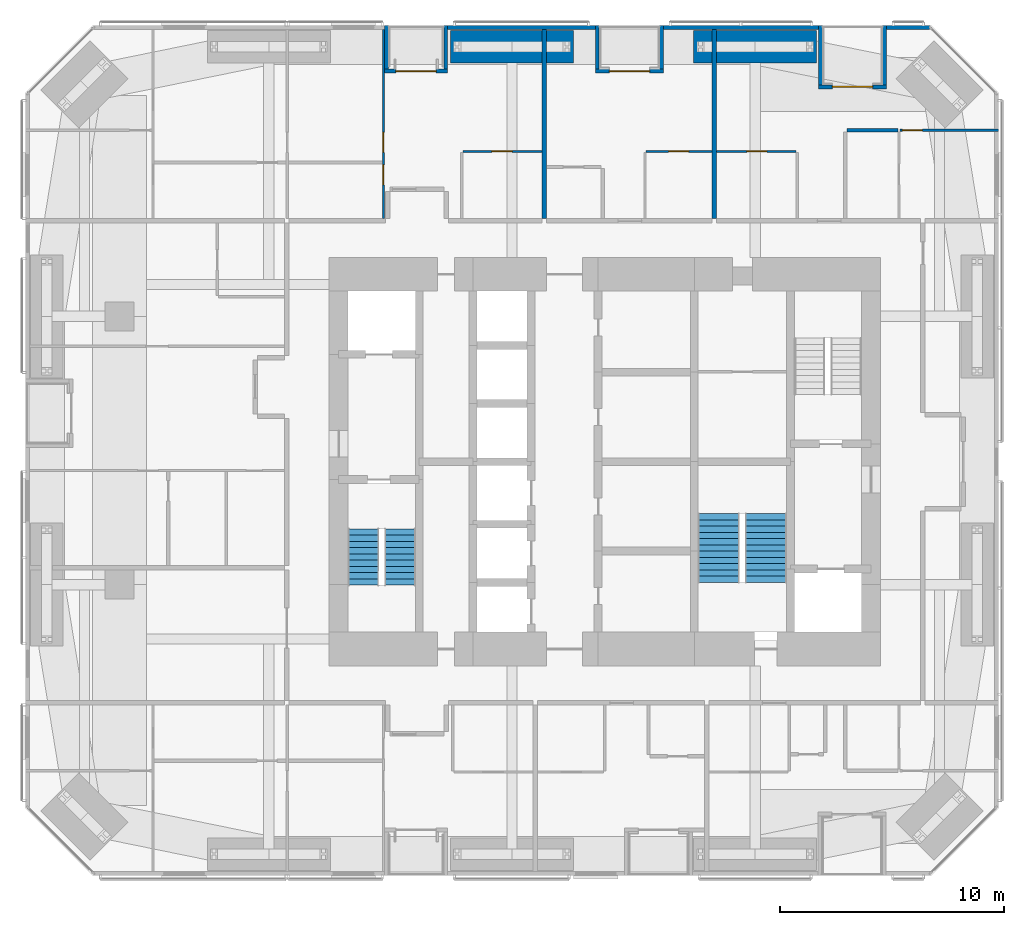
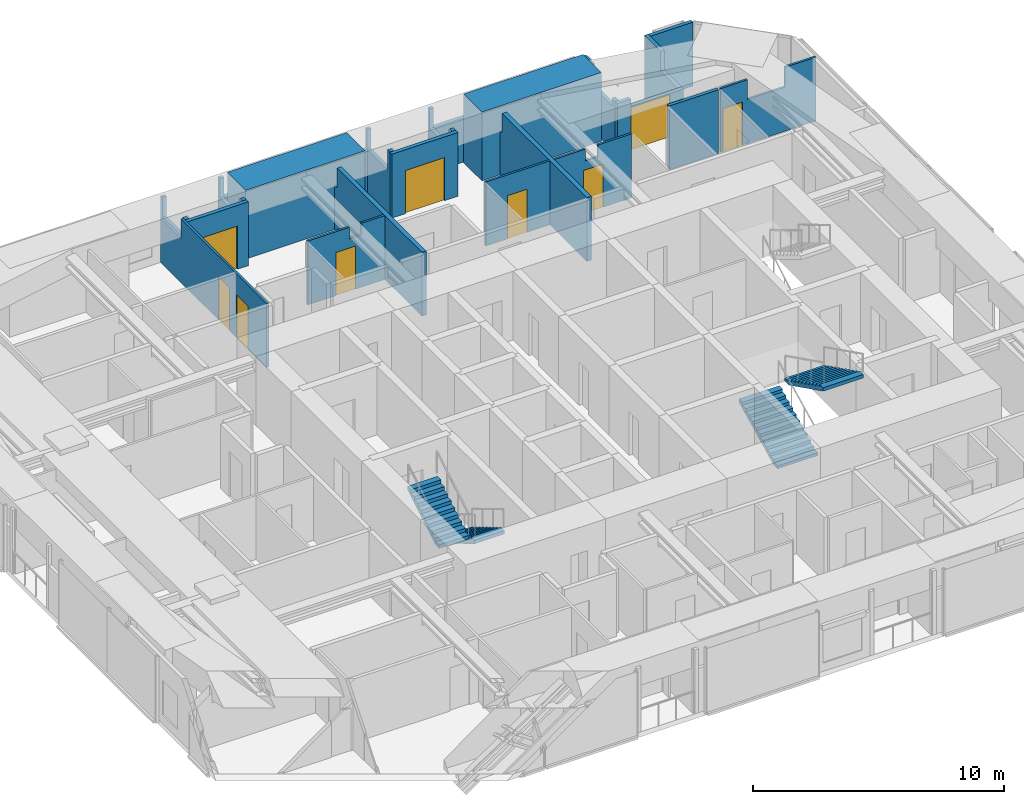
# One storey, part 23 of 25: 23 walls, 9 doors, 4 stair flights, 9 openings, 2 elements without a shape of their own.
"""IFC4 building model written with IfcOpenShell, lengths in metres."""

from ifc_helpers import new_model, si_unit, direction, frame, frame_2d, origin, place, context, subcontext, project, spatial, polyline, rectangle, outline, extrude, material, layer, layer_set, constituent, constituent_set, type_object, element, fill, aggregate, save


model = new_model("IFC4")

# Units and contexts
model_context = context("Model", 3, precision=1e-05, world=origin(), true_north=direction((0.0, 1.0)))
body_context = subcontext(model_context, "Body", "Model", "MODEL_VIEW")
ifc_project = project(units=[si_unit("LENGTHUNIT", "METRE"), si_unit("AREAUNIT", "SQUARE_METRE"), si_unit("VOLUMEUNIT", "CUBIC_METRE"), si_unit("PLANEANGLEUNIT", "RADIAN"), si_unit("MASSUNIT", "GRAM", prefix="KILO")], contexts=[model_context])

# Site, building, storey
site_placement = place(None, origin())
site = spatial("IfcSite", under=ifc_project, at=site_placement, CompositionType="ELEMENT")
building_placement = place(site_placement, origin())
building = spatial("IfcBuilding", under=site, at=building_placement, Name="Jalousie Tower", CompositionType="ELEMENT")
storey_placement = place(building_placement, frame((0.0, 0.0, 101.5)))
storey = spatial("IfcBuildingStorey", under=building, at=storey_placement, Name="L27", CompositionType="ELEMENT", Elevation=101.5)

# Walls
ifc_material_1 = material(Name="Concrete block ASTM C90", Category="concrete")
ifc_constituent_1 = constituent(ifc_material_1, Name="Body")
ifc_material_2 = material(Name="Render")
ifc_constituent_2 = constituent(ifc_material_2, Name="Finish")
ifc_constituent_set_1 = constituent_set(constituents=[ifc_constituent_1, ifc_constituent_2])
wall_type_1 = type_object("IfcWallType", Name="BATHROOM WALL 150", PredefinedType="PLUMBINGWALL", material=ifc_constituent_set_1)
wall_1_placement = place(storey_placement, frame((42.72509765625, 33.32421875, 0.0), z_axis=(0.0, 0.0, 1.0), x_axis=(1.0, 0.0, 0.0)))
element("IfcWall", 1, at=wall_1_placement, inside=storey, type_object=wall_type_1, Name="Bathroom Wall 150 L27", PredefinedType="PLUMBINGWALL", context=body_context, shape_type="SweptSolid", body=[
    extrude(rectangle(XDim=2.27490234375, YDim=0.14990234375, at=frame_2d((1.137451171875, 0.0))), origin(), (0.0, 0.0, 1.0), 3.110107421875),
])
ifc_material_3 = material(Name="Concrete f'c 40 MPa", Category="concrete")
ifc_constituent_3 = constituent(ifc_material_3, Name="Body")
ifc_material_4 = material(Name="Render, pastel sea green")
ifc_constituent_4 = constituent(ifc_material_4, Name="Finish")
ifc_constituent_set_2 = constituent_set(constituents=[ifc_constituent_3, ifc_constituent_4])
wall_type_2 = type_object("IfcWallType", Name="EXTERNAL WALL 175 SEA GREEN RENDER", PredefinedType="SOLIDWALL", material=ifc_constituent_set_2)
wall_2_placement = place(storey_placement, frame((46.44873046875, 37.91259765625, 0.0), z_axis=(0.0, 0.0, 1.0), x_axis=(-1.0, 0.0, 0.0)))
element("IfcWall", 2, at=wall_2_placement, inside=storey, type_object=wall_type_2, Name="External Wall 175 Sea Green Render L27", PredefinedType="SOLIDWALL", context=body_context, shape_type="SweptSolid", body=[
    extrude(rectangle(XDim=1.949951171875, YDim=0.175048828125, at=frame_2d((0.97509765625, 0.0))), origin(), (0.0, 0.0, 1.0), 3.110107421875),
])
wall_3_placement = place(storey_placement, frame((41.44873046875, 37.91259765625, 0.0), z_axis=(0.0, 0.0, 1.0), x_axis=(-1.0, 0.0, 0.0)))
element("IfcWall", 3, at=wall_3_placement, inside=storey, type_object=wall_type_2, Name="External Wall 175 Sea Green Render L27", PredefinedType="SOLIDWALL", context=body_context, shape_type="SweptSolid", body=[
    extrude(outline(polyline([(0.0, 0.0), (6.923828125, 0.0), (6.923583984375, 2.14990234375), (2.82373046875, 2.14990234375), (2.82373046875, 3.110107421875), (2.66552734375, 3.110107421875), (2.66552734375, 2.14990234375), (2.620361328125, 2.14990234375), (2.620361328125, 3.110107421875), (0.0, 3.110107421875), (0.0, 0.0)])), frame((0.0, 0.08740234375, 0.0), z_axis=(0.0, -1.0, 0.0), x_axis=(1.0, 0.0, 0.0)), (0.0, 0.0, 1.0), 0.175048828125),
])
wall_4_placement = place(storey_placement, frame((31.47509765625, 37.91259765625, 0.0), z_axis=(0.0, 0.0, 1.0), x_axis=(-1.0, 0.0, 0.0)))
element("IfcWall", 4, at=wall_4_placement, inside=storey, type_object=wall_type_2, Name="External Wall 175 Sea Green Render L27", PredefinedType="SOLIDWALL", context=body_context, shape_type="SweptSolid", body=[
    extrude(rectangle(XDim=6.60009765625, YDim=0.175048828125, at=frame_2d((3.300048828125, 0.0))), origin(), (0.0, 0.0, 1.0), 2.14990234375),
])

# Wall, opening, door
wall_5_placement = place(storey_placement, frame((44.498779296875, 35.262451171875, 0.0), z_axis=(0.0, 0.0, 1.0), x_axis=(-1.0, 0.0, 0.0)))
wall_5 = element("IfcWall", 5, at=wall_5_placement, inside=storey, type_object=wall_type_2, Name="External Wall 175 Sea Green Render L27-A", PredefinedType="SOLIDWALL", context=body_context, shape_type="SweptSolid", body=[
    extrude(rectangle(XDim=2.425048828125, YDim=0.175048828125, at=frame_2d((1.21240234375, 0.0))), origin(), (0.0, 0.0, 1.0), 2.14990234375),
])
opening_1_placement = place(wall_5_placement, frame((0.625, 0.0, 0.0)))
opening_1 = element("IfcOpeningElement", 6, at=opening_1_placement, cuts=wall_5, Name="Opening D-BAL21", PredefinedType="OPENING", context=body_context, shape_type="SweptSolid", body=[
    extrude(rectangle(XDim=1.800048828125, YDim=2.10009765625, at=frame_2d((0.89990234375, 1.050048828125))), frame((0.0, 0.097412109375, 0.0), z_axis=(0.0, -1.0, 0.0), x_axis=(1.0, 0.0, 0.0)), (0.0, 0.0, 1.0), 0.195068359375),
])
ifc_material_5 = material(Name="Aluminium frame, impact-rated glazing", Category="aluminium")
door_type_1 = type_object("IfcDoorType", Name="BALCONY DOOR 1800x2100", OperationType="SLIDING_TO_LEFT", PredefinedType="DOOR", material=ifc_material_5)
door_1_placement = place(opening_1_placement, origin())
door_1 = element("IfcDoor", 7, at=door_1_placement, inside=storey, type_object=door_type_1, Name="Apartment 2706 living and dining room loggia door", OperationType="SLIDING_TO_LEFT", OverallHeight=2.10009765625, OverallWidth=1.800048828125, PredefinedType="DOOR", context=body_context, shape_type="SweptSolid", body=[
    extrude(rectangle(XDim=1.800048828125, YDim=2.10009765625, at=frame_2d((0.89990234375, 1.050048828125))), frame((0.0, 0.02490234375, 0.0), z_axis=(0.0, -1.0, 0.0), x_axis=(1.0, 0.0, 0.0)), (0.0, 0.0, 1.0), 0.050048828125),
])
fill(opening_1, door_1)

# Walls
wall_6_placement = place(storey_placement, frame((42.07373046875, 35.262451171875, 0.0), z_axis=(0.0, 0.0, 1.0), x_axis=(-1.0, 0.0, 0.0)))
element("IfcWall", 8, at=wall_6_placement, inside=storey, type_object=wall_type_2, Name="External Wall 175 Sea Green Render L27-B", PredefinedType="SOLIDWALL", context=body_context, shape_type="SweptSolid", body=[
    extrude(rectangle(XDim=0.625, YDim=0.175048828125, at=frame_2d((0.3125, 0.0))), origin(), (0.0, 0.0, 1.0), 2.510009765625),
])
wall_7_placement = place(storey_placement, frame((44.4111328125, 38.0, 0.0), z_axis=(0.0, 0.0, 1.0), x_axis=(0.0, -1.0, 0.0)))
element("IfcWall", 9, at=wall_7_placement, inside=storey, type_object=wall_type_2, Name="External Wall 175 Sea Green Render L27", PredefinedType="SOLIDWALL", context=body_context, shape_type="SweptSolid", body=[
    extrude(outline(polyline([(0.0, 0.0), (2.64990234375, 0.0), (2.64990234375, 2.14990234375), (1.2958984375, 2.14990234375), (1.2958984375, 3.110107421875), (0.0, 3.110107421875), (0.0, 0.0)])), frame((0.0, 0.08740234375, 0.0), z_axis=(0.0, -1.0, 0.0), x_axis=(1.0, 0.0, 0.0)), (0.0, 0.0, 1.0), 0.175048828125),
])
wall_8_placement = place(storey_placement, frame((41.5361328125, 38.0, 0.0), z_axis=(0.0, 0.0, 1.0), x_axis=(0.0, -1.0, 0.0)))
element("IfcWall", 10, at=wall_8_placement, inside=storey, type_object=wall_type_2, Name="External Wall 175 Sea Green Render L27", PredefinedType="SOLIDWALL", context=body_context, shape_type="SweptSolid", body=[
    extrude(outline(polyline([(0.0, 0.0), (2.64990234375, 0.0), (2.64990234375, 2.510009765625), (2.378173828125, 2.510009765625), (2.378173828125, 2.14990234375), (0.70947265625, 2.14990234375), (0.70947265625, 3.110107421875), (0.0, 3.110107421875), (0.0, 0.0)])), frame((0.0, 0.08740234375, 0.0), z_axis=(0.0, -1.0, 0.0), x_axis=(1.0, 0.0, 0.0)), (0.0, 0.0, 1.0), 0.175048828125),
])

# Wall, opening, door
wall_9_placement = place(storey_placement, frame((34.52490234375, 35.96240234375, 0.0), z_axis=(0.0, 0.0, 1.0), x_axis=(-1.0, 0.0, 0.0)))
wall_9 = element("IfcWall", 11, at=wall_9_placement, inside=storey, type_object=wall_type_2, Name="External Wall 175 Sea Green Render L27", PredefinedType="SOLIDWALL", context=body_context, shape_type="SweptSolid", body=[
    extrude(rectangle(XDim=3.0498046875, YDim=0.175048828125, at=frame_2d((1.52490234375, 0.0))), origin(), (0.0, 0.0, 1.0), 3.110107421875),
])
opening_2_placement = place(wall_9_placement, frame((0.625, 0.0, 0.0)))
opening_2 = element("IfcOpeningElement", 12, at=opening_2_placement, cuts=wall_9, Name="Opening D-BAL21", PredefinedType="OPENING", context=body_context, shape_type="SweptSolid", body=[
    extrude(rectangle(XDim=1.800048828125, YDim=2.10009765625, at=frame_2d((0.89990234375, 1.050048828125))), frame((0.0, 0.097412109375, 0.0), z_axis=(0.0, -1.0, 0.0), x_axis=(1.0, 0.0, 0.0)), (0.0, 0.0, 1.0), 0.195068359375),
])
door_2_placement = place(opening_2_placement, origin())
door_2 = element("IfcDoor", 13, at=door_2_placement, inside=storey, type_object=door_type_1, Name="Apartment 2705 studio living and sleeping room loggia door", OperationType="SLIDING_TO_LEFT", OverallHeight=2.10009765625, OverallWidth=1.800048828125, PredefinedType="DOOR", context=body_context, shape_type="SweptSolid", body=[
    extrude(rectangle(XDim=1.800048828125, YDim=2.10009765625, at=frame_2d((0.89990234375, 1.050048828125))), frame((0.0, 0.02490234375, 0.0), z_axis=(0.0, -1.0, 0.0), x_axis=(1.0, 0.0, 0.0)), (0.0, 0.0, 1.0), 0.050048828125),
])
fill(opening_2, door_2)

# Walls
for number, where, z_axis, x_axis, name in (
    (14, (34.4375, 38.0, 0.0), (0.0, 0.0, 1.0), (0.0, -1.0, 0.0), "External Wall 175 Sea Green Render L27"),
    (15, (31.5625, 38.0, 0.0), (0.0, 0.0, 1.0), (0.0, -1.0, 0.0), "External Wall 175 Sea Green Render L27"),
):
    element("IfcWall", number, at=place(storey_placement, frame(where, z_axis=z_axis, x_axis=x_axis)), inside=storey, type_object=wall_type_2, Name=name, PredefinedType="SOLIDWALL", context=body_context, shape_type="SweptSolid", body=[
        extrude(outline(polyline([(0.0, 0.0), (1.949951171875, 0.0), (1.949951171875, 3.110107421875), (1.75, 3.110107421875), (1.75, 2.14990234375), (0.14990234375, 2.14990234375), (0.14990234375, 3.110107421875), (0.0, 3.110107421875), (0.0, 0.0)])), frame((0.0, 0.08740234375, 0.0), z_axis=(0.0, -1.0, 0.0), x_axis=(1.0, 0.0, 0.0)), (0.0, 0.0, 1.0), 0.175048828125),
    ])

# Wall, opening, door
wall_10_placement = place(storey_placement, frame((24.875, 35.96240234375, 0.0), z_axis=(0.0, 0.0, 1.0), x_axis=(-1.0, 0.0, 0.0)))
wall_10 = element("IfcWall", 16, at=wall_10_placement, inside=storey, type_object=wall_type_2, Name="External Wall 175 Sea Green Render L27", PredefinedType="SOLIDWALL", context=body_context, shape_type="SweptSolid", body=[
    extrude(rectangle(XDim=2.824951171875, YDim=0.175048828125, at=frame_2d((1.41259765625, 0.0))), origin(), (0.0, 0.0, 1.0), 3.110107421875),
])
opening_3_placement = place(wall_10_placement, frame((0.512451171875, 0.0, 0.0)))
opening_3 = element("IfcOpeningElement", 17, at=opening_3_placement, cuts=wall_10, Name="Opening D-BAL21", PredefinedType="OPENING", context=body_context, shape_type="SweptSolid", body=[
    extrude(rectangle(XDim=1.800048828125, YDim=2.10009765625, at=frame_2d((0.89990234375, 1.050048828125))), frame((0.0, 0.097412109375, 0.0), z_axis=(0.0, -1.0, 0.0), x_axis=(1.0, 0.0, 0.0)), (0.0, 0.0, 1.0), 0.195068359375),
])
door_3_placement = place(opening_3_placement, origin())
door_3 = element("IfcDoor", 18, at=door_3_placement, inside=storey, type_object=door_type_1, Name="Apartment 2704 living and dining room loggia door", OperationType="SLIDING_TO_LEFT", OverallHeight=2.10009765625, OverallWidth=1.800048828125, PredefinedType="DOOR", context=body_context, shape_type="SweptSolid", body=[
    extrude(rectangle(XDim=1.800048828125, YDim=2.10009765625, at=frame_2d((0.89990234375, 1.050048828125))), frame((0.0, 0.02490234375, 0.0), z_axis=(0.0, -1.0, 0.0), x_axis=(1.0, 0.0, 0.0)), (0.0, 0.0, 1.0), 0.050048828125),
])
fill(opening_3, door_3)

# Walls
for number, where, z_axis, x_axis, name in (
    (19, (24.78759765625, 38.0, 0.0), (0.0, 0.0, 1.0), (0.0, -1.0, 0.0), "External Wall 175 Sea Green Render L27"),
    (20, (22.137451171875, 38.0, 0.0), (0.0, 0.0, 1.0), (0.0, -1.0, 0.0), "External Wall 175 Sea Green Render L27"),
):
    element("IfcWall", number, at=place(storey_placement, frame(where, z_axis=z_axis, x_axis=x_axis)), inside=storey, type_object=wall_type_2, Name=name, PredefinedType="SOLIDWALL", context=body_context, shape_type="SweptSolid", body=[
        extrude(outline(polyline([(0.0, 0.0), (1.949951171875, 0.0), (1.949951171875, 3.110107421875), (1.75, 3.110107421875), (1.75, 2.14990234375), (0.14990234375, 2.14990234375), (0.14990234375, 3.110107421875), (0.0, 3.110107421875), (0.0, 0.0)])), frame((0.0, 0.08740234375, 0.0), z_axis=(0.0, -1.0, 0.0), x_axis=(1.0, 0.0, 0.0)), (0.0, 0.0, 1.0), 0.175048828125),
    ])

# Wall, openings, doors
ifc_material_6 = material(Name="Gypsum board", Category="gypsum")
ifc_constituent_5 = constituent(ifc_material_6, Name="Body")
ifc_material_7 = material(Name="Light-gauge steel studs ASTM A653 SS Grade 33", Category="steel")
ifc_constituent_6 = constituent(ifc_material_7, Name="Framing")
ifc_constituent_set_3 = constituent_set(constituents=[ifc_constituent_5, ifc_constituent_6])
wall_type_3 = type_object("IfcWallType", Name="PARTITION 100", PredefinedType="PARTITIONING", material=ifc_constituent_set_3)
wall_11_placement = place(storey_placement, frame((22.0, 37.824951171875, 0.0), z_axis=(0.0, 0.0, 1.0), x_axis=(0.0, -1.0, 0.0)))
wall_11 = element("IfcWall", 21, at=wall_11_placement, inside=storey, type_object=wall_type_3, Name="Partition 100 L27", PredefinedType="PARTITIONING", context=body_context, shape_type="SweptSolid", body=[
    extrude(outline(polyline([(0.0, 0.0), (8.449951171875, 0.0), (8.449951171875, 3.110107421875), (1.635009765625, 3.110107421875), (1.635009765625, 2.14990234375), (0.0, 2.14990234375), (0.0, 3.110107421875), (0.0, 0.0)])), frame((0.0, 0.050048828125, 0.0), z_axis=(0.0, -1.0, 0.0), x_axis=(1.0, 0.0, 0.0)), (0.0, 0.0, 1.0), 0.10009765625),
])
opening_4_placement = place(wall_11_placement, frame((4.60009765625, 0.0, 0.0)))
opening_4 = element("IfcOpeningElement", 22, at=opening_4_placement, cuts=wall_11, Name="Opening D2", PredefinedType="OPENING", context=body_context, shape_type="SweptSolid", body=[
    extrude(rectangle(XDim=0.89990234375, YDim=2.10009765625, at=frame_2d((0.449951171875, 1.050048828125))), frame((0.0, 0.06005859375, 0.0), z_axis=(0.0, -1.0, 0.0), x_axis=(1.0, 0.0, 0.0)), (0.0, 0.0, 1.0), 0.1201171875),
])
opening_5_placement = place(wall_11_placement, frame((6.050048828125, 0.0, 0.0)))
opening_5 = element("IfcOpeningElement", 23, at=opening_5_placement, cuts=wall_11, Name="Opening D7", PredefinedType="OPENING", context=body_context, shape_type="SweptSolid", body=[
    extrude(rectangle(XDim=0.89990234375, YDim=2.10009765625, at=frame_2d((0.449951171875, 1.050048828125))), frame((0.0, 0.06005859375, 0.0), z_axis=(0.0, -1.0, 0.0), x_axis=(1.0, 0.0, 0.0)), (0.0, 0.0, 1.0), 0.1201171875),
])
ifc_material_8 = material(Name="Timber door", Category="wood")
door_type_2 = type_object("IfcDoorType", Name="BEDROOM DOOR 900", OperationType="SINGLE_SWING_LEFT", PredefinedType="DOOR", material=ifc_material_8)
door_4_placement = place(opening_4_placement, frame((0.89990234375, 0.0, 0.0), z_axis=(0.0, 0.0, 1.0), x_axis=(-1.0, 0.0, 0.0)))
door_4 = element("IfcDoor", 24, at=door_4_placement, inside=storey, type_object=door_type_2, Name="Apartment 2704 bedroom 3 door", OperationType="SINGLE_SWING_LEFT", OverallHeight=2.10009765625, OverallWidth=0.89990234375, PredefinedType="DOOR", context=body_context, shape_type="SweptSolid", body=[
    extrude(rectangle(XDim=0.89990234375, YDim=2.10009765625, at=frame_2d((0.449951171875, 1.050048828125))), frame((0.0, 0.02490234375, 0.0), z_axis=(0.0, -1.0, 0.0), x_axis=(1.0, 0.0, 0.0)), (0.0, 0.0, 1.0), 0.050048828125),
])
fill(opening_4, door_4)
ifc_material_9 = material(Name="Timber door", Category="wood")
door_type_3 = type_object("IfcDoorType", Name="INTERNAL DOOR 900", OperationType="SINGLE_SWING_LEFT", PredefinedType="DOOR", material=ifc_material_9)
door_5_placement = place(opening_5_placement, frame((0.89990234375, 0.0, 0.0), z_axis=(0.0, 0.0, 1.0), x_axis=(-1.0, 0.0, 0.0)))
door_5 = element("IfcDoor", 25, at=door_5_placement, inside=storey, type_object=door_type_3, Name="Apartment 2704 bathroom door", OperationType="SINGLE_SWING_RIGHT", OverallHeight=2.10009765625, OverallWidth=0.89990234375, PredefinedType="DOOR", context=body_context, shape_type="SweptSolid", body=[
    extrude(rectangle(XDim=0.89990234375, YDim=2.10009765625, at=frame_2d((0.449951171875, 1.050048828125))), frame((0.0, 0.02490234375, 0.0), z_axis=(0.0, -1.0, 0.0), x_axis=(1.0, 0.0, 0.0)), (0.0, 0.0, 1.0), 0.050048828125),
])
fill(opening_5, door_5)

# Wall, opening, door
wall_12_placement = place(storey_placement, frame((25.550048828125, 32.375, 0.0), z_axis=(0.0, 0.0, 1.0), x_axis=(1.0, 0.0, 0.0)))
wall_12 = element("IfcWall", 26, at=wall_12_placement, inside=storey, type_object=wall_type_3, Name="Partition 100 L27", PredefinedType="PARTITIONING", context=body_context, shape_type="SweptSolid", body=[
    extrude(outline(polyline([(0.0, 0.0), (3.550048828125, 0.0), (3.550048828125, 3.110107421875), (2.4873046875, 3.110107421875), (2.4873046875, 2.541015625), (1.91259765625, 2.541015625), (1.91259765625, 3.110107421875), (0.0, 3.110107421875), (0.0, 0.0)])), frame((0.0, 0.050048828125, 0.0), z_axis=(0.0, -1.0, 0.0), x_axis=(1.0, 0.0, 0.0)), (0.0, 0.0, 1.0), 0.10009765625),
])
opening_6_placement = place(wall_12_placement, frame((1.300048828125, 0.0, 0.0)))
opening_6 = element("IfcOpeningElement", 27, at=opening_6_placement, cuts=wall_12, Name="Opening D7", PredefinedType="OPENING", context=body_context, shape_type="SweptSolid", body=[
    extrude(rectangle(XDim=0.89990234375, YDim=2.10009765625, at=frame_2d((0.449951171875, 1.050048828125))), frame((0.0, 0.06005859375, 0.0), z_axis=(0.0, -1.0, 0.0), x_axis=(1.0, 0.0, 0.0)), (0.0, 0.0, 1.0), 0.1201171875),
])
door_6_placement = place(opening_6_placement, origin())
door_6 = element("IfcDoor", 28, at=door_6_placement, inside=storey, type_object=door_type_3, Name="Apartment 2704 kitchen door", OperationType="SINGLE_SWING_RIGHT", OverallHeight=2.10009765625, OverallWidth=0.89990234375, PredefinedType="DOOR", context=body_context, shape_type="SweptSolid", body=[
    extrude(rectangle(XDim=0.89990234375, YDim=2.10009765625, at=frame_2d((0.449951171875, 1.050048828125))), frame((0.0, 0.02490234375, 0.0), z_axis=(0.0, -1.0, 0.0), x_axis=(1.0, 0.0, 0.0)), (0.0, 0.0, 1.0), 0.050048828125),
])
fill(opening_6, door_6)

wall_13_placement = place(storey_placement, frame((33.75, 32.375, 0.0), z_axis=(0.0, 0.0, 1.0), x_axis=(1.0, 0.0, 0.0)))
wall_13 = element("IfcWall", 29, at=wall_13_placement, inside=storey, type_object=wall_type_3, Name="Partition 100 L27", PredefinedType="PARTITIONING", context=body_context, shape_type="SweptSolid", body=[
    extrude(rectangle(XDim=2.949951171875, YDim=0.10009765625, at=frame_2d((1.47509765625, 0.0))), origin(), (0.0, 0.0, 1.0), 3.110107421875),
])
opening_7_placement = place(wall_13_placement, frame((1.0, 0.0, 0.0)))
opening_7 = element("IfcOpeningElement", 30, at=opening_7_placement, cuts=wall_13, Name="Opening D7", PredefinedType="OPENING", context=body_context, shape_type="SweptSolid", body=[
    extrude(rectangle(XDim=0.89990234375, YDim=2.10009765625, at=frame_2d((0.449951171875, 1.050048828125))), frame((0.0, 0.06005859375, 0.0), z_axis=(0.0, -1.0, 0.0), x_axis=(1.0, 0.0, 0.0)), (0.0, 0.0, 1.0), 0.1201171875),
])
door_7_placement = place(opening_7_placement, frame((0.89990234375, 0.0, 0.0), z_axis=(0.0, 0.0, 1.0), x_axis=(-1.0, 0.0, 0.0)))
door_7 = element("IfcDoor", 31, at=door_7_placement, inside=storey, type_object=door_type_3, Name="Apartment 2705 kitchen door", OperationType="SINGLE_SWING_RIGHT", OverallHeight=2.10009765625, OverallWidth=0.89990234375, PredefinedType="DOOR", context=body_context, shape_type="SweptSolid", body=[
    extrude(rectangle(XDim=0.89990234375, YDim=2.10009765625, at=frame_2d((0.449951171875, 1.050048828125))), frame((0.0, 0.02490234375, 0.0), z_axis=(0.0, -1.0, 0.0), x_axis=(1.0, 0.0, 0.0)), (0.0, 0.0, 1.0), 0.050048828125),
])
fill(opening_7, door_7)

wall_14_placement = place(storey_placement, frame((45.10009765625, 33.32421875, 0.0), z_axis=(0.0, 0.0, 1.0), x_axis=(1.0, 0.0, 0.0)))
wall_14 = element("IfcWall", 32, at=wall_14_placement, inside=storey, type_object=wall_type_3, Name="Partition 100 L27", PredefinedType="PARTITIONING", context=body_context, shape_type="SweptSolid", body=[
    extrude(outline(polyline([(0.0, 0.0), (4.39990234375, 0.0), (4.39990234375, 3.110107421875), (2.971435546875, 3.110107421875), (2.971435546875, 2.14990234375), (1.22900390625, 2.14990234375), (1.22900390625, 3.110107421875), (0.0, 3.110107421875), (0.0, 0.0)])), frame((0.0, 0.050048828125, 0.0), z_axis=(0.0, -1.0, 0.0), x_axis=(1.0, 0.0, 0.0)), (0.0, 0.0, 1.0), 0.10009765625),
])
opening_8_placement = place(wall_14_placement, frame((0.10009765625, 0.0, 0.0)))
opening_8 = element("IfcOpeningElement", 33, at=opening_8_placement, cuts=wall_14, Name="Opening D2", PredefinedType="OPENING", context=body_context, shape_type="SweptSolid", body=[
    extrude(rectangle(XDim=0.89990234375, YDim=2.10009765625, at=frame_2d((0.449951171875, 1.050048828125))), frame((0.0, 0.06005859375, 0.0), z_axis=(0.0, -1.0, 0.0), x_axis=(1.0, 0.0, 0.0)), (0.0, 0.0, 1.0), 0.1201171875),
])
door_8_placement = place(opening_8_placement, frame((0.89990234375, 0.0, 0.0), z_axis=(0.0, 0.0, 1.0), x_axis=(-1.0, 0.0, 0.0)))
door_8 = element("IfcDoor", 34, at=door_8_placement, inside=storey, type_object=door_type_2, Name="Apartment 2706 bedroom 1 door", OperationType="SINGLE_SWING_RIGHT", OverallHeight=2.10009765625, OverallWidth=0.89990234375, PredefinedType="DOOR", context=body_context, shape_type="SweptSolid", body=[
    extrude(rectangle(XDim=0.89990234375, YDim=2.10009765625, at=frame_2d((0.449951171875, 1.050048828125))), frame((0.0, 0.02490234375, 0.0), z_axis=(0.0, -1.0, 0.0), x_axis=(1.0, 0.0, 0.0)), (0.0, 0.0, 1.0), 0.050048828125),
])
fill(opening_8, door_8)

wall_15_placement = place(storey_placement, frame((36.89990234375, 32.375, 0.0), z_axis=(0.0, 0.0, 1.0), x_axis=(1.0, 0.0, 0.0)))
wall_15 = element("IfcWall", 35, at=wall_15_placement, inside=storey, type_object=wall_type_3, Name="Partition 100 L27", PredefinedType="PARTITIONING", context=body_context, shape_type="SweptSolid", body=[
    extrude(outline(polyline([(0.0, 0.0), (3.550048828125, 0.0), (3.550048828125, 3.110107421875), (2.012451171875, 3.110107421875), (2.012451171875, 2.541015625), (1.4375, 2.541015625), (1.4375, 3.110107421875), (0.0, 3.110107421875), (0.0, 0.0)])), frame((0.0, 0.050048828125, 0.0), z_axis=(0.0, -1.0, 0.0), x_axis=(1.0, 0.0, 0.0)), (0.0, 0.0, 1.0), 0.10009765625),
])
opening_9_placement = place(wall_15_placement, frame((1.35009765625, 0.0, 0.0)))
opening_9 = element("IfcOpeningElement", 36, at=opening_9_placement, cuts=wall_15, Name="Opening D7", PredefinedType="OPENING", context=body_context, shape_type="SweptSolid", body=[
    extrude(rectangle(XDim=0.89990234375, YDim=2.10009765625, at=frame_2d((0.449951171875, 1.050048828125))), frame((0.0, 0.06005859375, 0.0), z_axis=(0.0, -1.0, 0.0), x_axis=(1.0, 0.0, 0.0)), (0.0, 0.0, 1.0), 0.1201171875),
])
door_9_placement = place(opening_9_placement, origin())
door_9 = element("IfcDoor", 37, at=door_9_placement, inside=storey, type_object=door_type_3, Name="Apartment 2706 kitchen door", OperationType="SINGLE_SWING_LEFT", OverallHeight=2.10009765625, OverallWidth=0.89990234375, PredefinedType="DOOR", context=body_context, shape_type="SweptSolid", body=[
    extrude(rectangle(XDim=0.89990234375, YDim=2.10009765625, at=frame_2d((0.449951171875, 1.050048828125))), frame((0.0, 0.02490234375, 0.0), z_axis=(0.0, -1.0, 0.0), x_axis=(1.0, 0.0, 0.0)), (0.0, 0.0, 1.0), 0.050048828125),
])
fill(opening_9, door_9)

# Walls
ifc_material_10 = material(Name="Concrete block ASTM C90", Category="concrete")
ifc_constituent_7 = constituent(ifc_material_10, Name="Body")
ifc_material_11 = material(Name="Render")
ifc_constituent_8 = constituent(ifc_material_11, Name="Finish")
ifc_constituent_set_4 = constituent_set(constituents=[ifc_constituent_7, ifc_constituent_8])
wall_type_4 = type_object("IfcWallType", Name="PARTY WALL 200", PredefinedType="PARTITIONING", material=ifc_constituent_set_4)
wall_16_placement = place(storey_placement, frame((29.199951171875, 37.824951171875, 0.0), z_axis=(0.0, 0.0, 1.0), x_axis=(0.0, -1.0, 0.0)))
element("IfcWall", 38, at=wall_16_placement, inside=storey, type_object=wall_type_4, Name="Party Wall 200 L27", PredefinedType="PARTITIONING", context=body_context, shape_type="SweptSolid", body=[
    extrude(outline(polyline([(0.52880859375, 2.14990234375), (0.0, 2.14990234375), (0.0, 0.0), (0.52880859375, 0.0), (0.52880859375, 0.5126953125), (1.021240234375, 0.5126953125), (1.021240234375, 0.0), (8.449951171875, 0.0), (8.449951171875, 3.110107421875), (1.68505859375, 3.110107421875), (1.68505859375, 2.14990234375), (1.021240234375, 2.14990234375), (1.021240234375, 1.63720703125), (0.52880859375, 1.63720703125), (0.52880859375, 2.14990234375)])), frame((0.0, 0.10009765625, 0.0), z_axis=(0.0, -1.0, 0.0), x_axis=(1.0, 0.0, 0.0)), (0.0, 0.0, 1.0), 0.199951171875),
])
wall_17_placement = place(storey_placement, frame((36.800048828125, 37.824951171875, 0.0), z_axis=(0.0, 0.0, 1.0), x_axis=(0.0, -1.0, 0.0)))
element("IfcWall", 39, at=wall_17_placement, inside=storey, type_object=wall_type_4, Name="Party Wall 200 L27", PredefinedType="PARTITIONING", context=body_context, shape_type="SweptSolid", body=[
    extrude(outline(polyline([(0.52880859375, 2.14990234375), (0.0, 2.14990234375), (0.0, 0.0), (0.52880859375, 0.0), (0.52880859375, 0.25634765625), (1.021240234375, 0.25634765625), (1.021240234375, 0.0), (8.449951171875, 0.0), (8.449951171875, 3.110107421875), (1.68505859375, 3.110107421875), (1.68505859375, 2.14990234375), (1.021240234375, 2.14990234375), (1.021240234375, 1.8935546875), (0.52880859375, 1.8935546875), (0.52880859375, 2.14990234375)])), frame((0.0, 0.10009765625, 0.0), z_axis=(0.0, -1.0, 0.0), x_axis=(1.0, 0.0, 0.0)), (0.0, 0.0, 1.0), 0.199951171875),
])
ifc_material_12 = material(Name="Concrete f'c 120 MPa", Category="concrete")
ifc_layer = layer(ifc_material_12, 1.449951171875)
ifc_layer_set = layer_set([ifc_layer], Name="Concrete f'c 120 MPa")
wall_type_5 = type_object("IfcWallType", Name="RC WALL PIER 1450", PredefinedType="SHEAR", material=ifc_layer_set)
for number, where, z_axis, x_axis, name in (
    (40, (35.875, 37.050048828125, 0.0), (0.0, 0.0, 1.0), (1.0, 0.0, 0.0), "Wall pier 09 L27"),
    (41, (25.0, 37.050048828125, 0.0), (0.0, 0.0, 1.0), (1.0, 0.0, 0.0), "Wall pier 10 L27"),
):
    element("IfcWall", number, at=place(storey_placement, frame(where, z_axis=z_axis, x_axis=x_axis)), inside=storey, type_object=wall_type_5, Name=name, PredefinedType="SHEAR", context=body_context, shape_type="SweptSolid", body=[
        extrude(rectangle(XDim=5.5, YDim=1.449951171875, at=frame_2d((2.75, 0.0))), origin(), (0.0, 0.0, 1.0), 3.35009765625),
    ])

# Stair, stair flights
ifc_material_13 = material(Name="Concrete f'c 40 MPa", Category="concrete")
stair_type = type_object("IfcStairType", Name="EXIT STAIR", PredefinedType="HALF_TURN_STAIR", material=ifc_material_13)
stair_1_placement = place(storey_placement, origin())
stair_1 = element("IfcStair", 42, at=stair_1_placement, inside=storey, type_object=stair_type, Name="Exit stair A L27", PredefinedType="HALF_TURN_STAIR")
ifc_material_14 = material(Name="Concrete f'c 40 MPa", Category="concrete")
stair_flight_type = type_object("IfcStairFlightType", Name="STAIR FLIGHT", PredefinedType="STRAIGHT", material=ifc_material_14)
stair_flight_1_placement = place(storey_placement, frame((22.737548828125, 15.49755859375, 0.0), z_axis=(0.0, 0.0, 1.0), x_axis=(0.0, -1.0, 0.0)))
stair_flight_1 = element("IfcStairFlight", 43, at=stair_flight_1_placement, type_object=stair_flight_type, Name="ST-A flight 1", NumberOfRisers=10, NumberOfTreads=9, PredefinedType="STRAIGHT", RiserHeight=0.1675, TreadLength=0.28, context=body_context, shape_type="SweptSolid", body=[
    extrude(outline(polyline([(0.0, 0.0), (0.0, 0.16748046875), (0.280029296875, 0.16748046875), (0.280029296875, 0.3349609375), (0.56005859375, 0.3349609375), (0.56005859375, 0.50244140625), (0.840087890625, 0.50244140625), (0.840087890625, 0.669921875), (1.1201171875, 0.669921875), (1.1201171875, 0.83740234375), (1.39990234375, 0.83740234375), (1.39990234375, 1.0048828125), (1.679931640625, 1.0048828125), (1.679931640625, 1.172607421875), (1.9599609375, 1.172607421875), (1.9599609375, 1.340087890625), (2.239990234375, 1.340087890625), (2.239990234375, 1.507568359375), (2.52001953125, 1.507568359375), (2.52001953125, 1.675048828125), (2.52001953125, 1.332763671875), (0.2919921875, 0.0), (0.0, 0.0)])), frame((0.0, 0.6875, 0.0), z_axis=(0.0, -1.0, 0.0), x_axis=(1.0, 0.0, 0.0)), (0.0, 0.0, 1.0), 1.375),
])
stair_flight_2_placement = place(storey_placement, frame((21.112548828125, 12.9775390625, 1.675048828125), z_axis=(0.0, 0.0, 1.0), x_axis=(0.0, 1.0, 0.0)))
stair_flight_2 = element("IfcStairFlight", 44, at=stair_flight_2_placement, type_object=stair_flight_type, Name="ST-A flight 2", NumberOfRisers=10, NumberOfTreads=9, PredefinedType="STRAIGHT", RiserHeight=0.1675, TreadLength=0.28, context=body_context, shape_type="SweptSolid", body=[
    extrude(outline(polyline([(0.0, 0.0), (0.0, 0.16748046875), (0.280029296875, 0.16748046875), (0.280029296875, 0.3349609375), (0.56005859375, 0.3349609375), (0.56005859375, 0.50244140625), (0.840087890625, 0.50244140625), (0.840087890625, 0.669921875), (1.1201171875, 0.669921875), (1.1201171875, 0.83740234375), (1.39990234375, 0.83740234375), (1.39990234375, 1.0048828125), (1.679931640625, 1.0048828125), (1.679931640625, 1.172607421875), (1.9599609375, 1.172607421875), (1.9599609375, 1.340087890625), (2.239990234375, 1.340087890625), (2.239990234375, 1.507568359375), (2.52001953125, 1.507568359375), (2.52001953125, 1.675048828125), (2.52001953125, 1.332763671875), (0.2919921875, 0.0), (0.0, 0.0)])), frame((0.0, 0.6875, 0.0), z_axis=(0.0, -1.0, 0.0), x_axis=(1.0, 0.0, 0.0)), (0.0, 0.0, 1.0), 1.375),
])
aggregate(stair_1, [stair_flight_1, stair_flight_2])

stair_2_placement = place(storey_placement, origin())
stair_2 = element("IfcStair", 45, at=stair_2_placement, inside=storey, type_object=stair_type, Name="Exit stair C L27", PredefinedType="HALF_TURN_STAIR")
stair_flight_3_placement = place(storey_placement, frame((37.0, 13.097412109375, 0.0), z_axis=(0.0, 0.0, 1.0), x_axis=(0.0, 1.0, 0.0)))
stair_flight_3 = element("IfcStairFlight", 46, at=stair_flight_3_placement, type_object=stair_flight_type, Name="ST-C flight 1", NumberOfRisers=12, NumberOfTreads=11, PredefinedType="STRAIGHT", RiserHeight=0.139583333, TreadLength=0.28, context=body_context, shape_type="SweptSolid", body=[
    extrude(outline(polyline([(0.0, 0.0), (0.0, 0.1396484375), (0.280029296875, 0.1396484375), (0.280029296875, 0.279052734375), (0.56005859375, 0.279052734375), (0.56005859375, 0.418701171875), (0.840087890625, 0.418701171875), (0.840087890625, 0.558349609375), (1.1201171875, 0.558349609375), (1.1201171875, 0.697998046875), (1.39990234375, 0.697998046875), (1.39990234375, 0.83740234375), (1.679931640625, 0.83740234375), (1.679931640625, 0.97705078125), (1.9599609375, 0.97705078125), (1.9599609375, 1.11669921875), (2.239990234375, 1.11669921875), (2.239990234375, 1.25634765625), (2.52001953125, 1.25634765625), (2.52001953125, 1.395751953125), (2.800048828125, 1.395751953125), (2.800048828125, 1.535400390625), (3.080078125, 1.535400390625), (3.080078125, 1.675048828125), (3.080078125, 1.367919921875), (0.3359375, 0.0), (0.0, 0.0)])), frame((0.0, 0.925048828125, 0.0), z_axis=(0.0, -1.0, 0.0), x_axis=(1.0, 0.0, 0.0)), (0.0, 0.0, 1.0), 1.85009765625),
])
stair_flight_4_placement = place(storey_placement, frame((39.10009765625, 16.177490234375, 1.675048828125), z_axis=(0.0, 0.0, 1.0), x_axis=(0.0, -1.0, 0.0)))
stair_flight_4 = element("IfcStairFlight", 47, at=stair_flight_4_placement, type_object=stair_flight_type, Name="ST-C flight 2", NumberOfRisers=12, NumberOfTreads=11, PredefinedType="STRAIGHT", RiserHeight=0.139583333, TreadLength=0.28, context=body_context, shape_type="SweptSolid", body=[
    extrude(outline(polyline([(0.0, 0.0), (0.0, 0.1396484375), (0.280029296875, 0.1396484375), (0.280029296875, 0.279052734375), (0.56005859375, 0.279052734375), (0.56005859375, 0.418701171875), (0.840087890625, 0.418701171875), (0.840087890625, 0.558349609375), (1.1201171875, 0.558349609375), (1.1201171875, 0.697998046875), (1.39990234375, 0.697998046875), (1.39990234375, 0.83740234375), (1.679931640625, 0.83740234375), (1.679931640625, 0.97705078125), (1.9599609375, 0.97705078125), (1.9599609375, 1.11669921875), (2.239990234375, 1.11669921875), (2.239990234375, 1.25634765625), (2.52001953125, 1.25634765625), (2.52001953125, 1.395751953125), (2.800048828125, 1.395751953125), (2.800048828125, 1.535400390625), (3.080078125, 1.535400390625), (3.080078125, 1.675048828125), (3.080078125, 1.367919921875), (0.3359375, 0.0), (0.0, 0.0)])), frame((0.0, 0.925048828125, 0.0), z_axis=(0.0, -1.0, 0.0), x_axis=(1.0, 0.0, 0.0)), (0.0, 0.0, 1.0), 1.85009765625),
])
aggregate(stair_2, [stair_flight_3, stair_flight_4])

save(model, "model.ifc")
